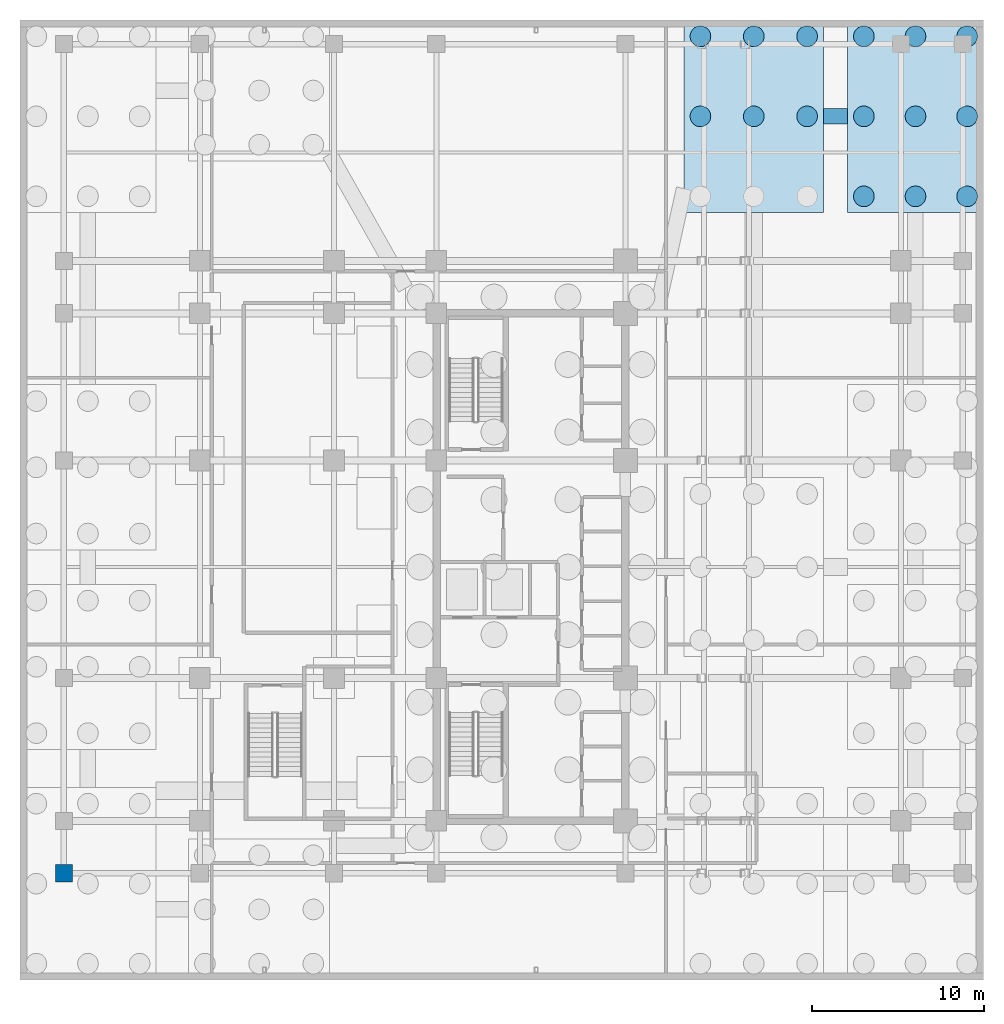
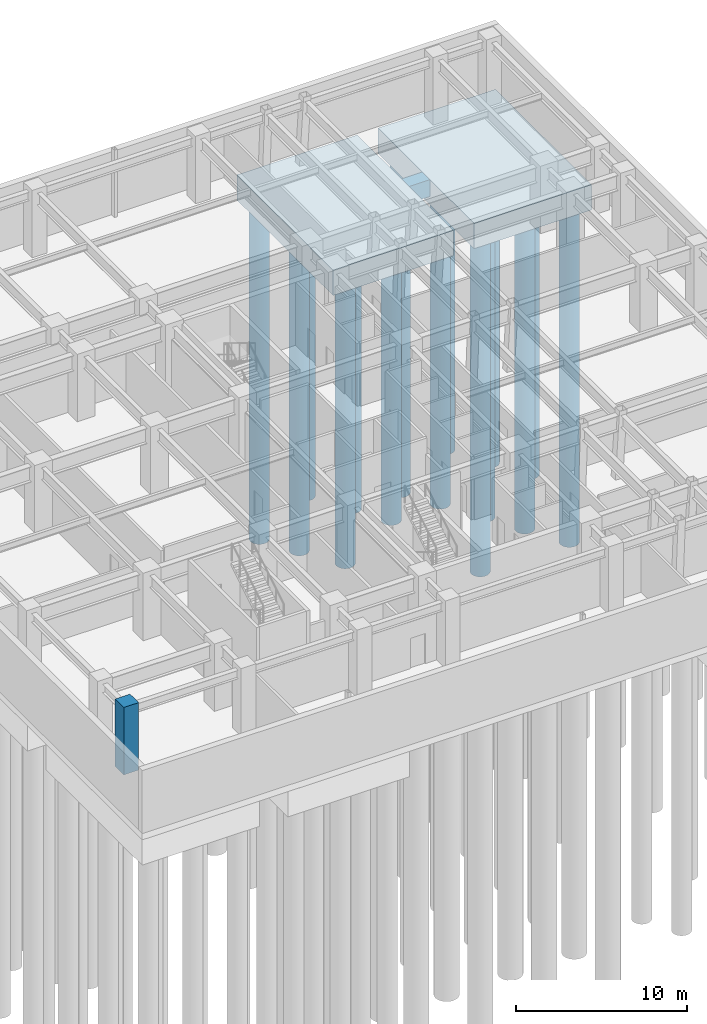
# One storey, part 3 of 13: 15 piles, 3 footings, 1 column.
"""IFC4 building model written with IfcOpenShell, lengths in metres."""

import ifcopenshell
import ifcopenshell.guid

model = None  # the IFC model being written
_history = None  # IfcOwnerHistory: only IFC2X3 demands one
_inside = {}  # id of a spatial element -> (the spatial element, [elements in it])
_under = {}  # id of a project, library or spatial element -> (it, [spatial elements below it])
_declared = {}  # id of a project -> (the project, [libraries it declares])
_typed = {}  # id of a type object -> (the type object, [elements of that type])
_made_of = {}  # id of a material, layer set ... -> (it, [elements and type objects made of it])


def new_model(schema):
    """Start an empty IFC model of exactly this schema.

    Asked for "IFC4X3", IfcOpenShell would pick the latest addendum, in which some entities
    have other attributes; the version numbers below select the first issue.
    IFC2X3 requires an IfcOwnerHistory on every rooted entity: one is made here for all.
    """
    global model, _history
    if schema == "IFC4X3":
        model = ifcopenshell.file(schema_version=(4, 3, 0, 0))
    else:
        model = ifcopenshell.file(schema=schema)
    _inside.clear()
    _under.clear()
    _declared.clear()
    _typed.clear()
    _made_of.clear()
    _history = None
    if model.schema == "IFC2X3":
        org = make("IfcOrganization", Name="unknown")
        user = make(
            "IfcPersonAndOrganization",
            ThePerson=make("IfcPerson", FamilyName="unknown"),
            TheOrganization=org,
        )
        app = make(
            "IfcApplication",
            ApplicationDeveloper=org,
            Version="unknown",
            ApplicationFullName="unknown",
            ApplicationIdentifier="unknown",
        )
        _history = make(
            "IfcOwnerHistory",
            OwningUser=user,
            OwningApplication=app,
            ChangeAction="ADDED",
            CreationDate=0,
        )
    return model


def make(cls, **values):
    """One entity of the class cls with the attributes given. An attribute that is None is left unset."""
    return model.create_entity(
        cls, **{name: value for name, value in values.items() if value is not None}
    )


def rooted(cls, **values):
    """An entity with a GlobalId (a new one), such as an element, a storey or a relation."""
    return make(cls, GlobalId=ifcopenshell.guid.new(), OwnerHistory=_history, **values)


def si_unit(unit_type, name, prefix=None):
    """IfcSIUnit, for example si_unit("LENGTHUNIT", "METRE", prefix="MILLI")."""
    return make("IfcSIUnit", UnitType=unit_type, Prefix=prefix, Name=name)


def assignment(units):
    """IfcUnitAssignment: the units of a project."""
    return None if units is None else make("IfcUnitAssignment", Units=units)


def point(xyz):
    """IfcCartesianPoint."""
    return None if xyz is None else make("IfcCartesianPoint", Coordinates=xyz)


def direction(xyz):
    """IfcDirection."""
    return None if xyz is None else make("IfcDirection", DirectionRatios=xyz)


def frame(location, z_axis=None, x_axis=None):
    """IfcAxis2Placement3D, a coordinate frame: its origin and axes. An axis left out is left unset."""
    return make(
        "IfcAxis2Placement3D",
        Location=point(location),
        Axis=direction(z_axis),
        RefDirection=direction(x_axis),
    )


def frame_2d(location, x_axis=None):
    """IfcAxis2Placement2D, a coordinate frame in the plane: its origin and x axis."""
    return make(
        "IfcAxis2Placement2D", Location=point(location), RefDirection=direction(x_axis)
    )


def origin():
    """The frame at (0, 0, 0) with its axes left unset."""
    return frame((0.0, 0.0, 0.0))


def origin_2d():
    """The frame at (0, 0) in the plane with its x axis left unset."""
    return frame_2d((0.0, 0.0))


def place(relative_to, where):
    """IfcLocalPlacement: puts the frame where relative to a parent placement (None: the world)."""
    return make(
        "IfcLocalPlacement", PlacementRelTo=relative_to, RelativePlacement=where
    )


def context(
    kind, dimensions, precision=None, world=None, true_north=None, identifier=None
):
    """IfcGeometricRepresentationContext, for example the 3D "Model" context."""
    return make(
        "IfcGeometricRepresentationContext",
        ContextIdentifier=identifier,
        ContextType=kind,
        CoordinateSpaceDimension=dimensions,
        Precision=precision,
        WorldCoordinateSystem=world,
        TrueNorth=true_north,
    )


def subcontext(parent, identifier, kind, view, scale=None):
    """IfcGeometricRepresentationSubContext, for example "Body" below "Model"."""
    return make(
        "IfcGeometricRepresentationSubContext",
        ContextIdentifier=identifier,
        ContextType=kind,
        ParentContext=parent,
        TargetScale=scale,
        TargetView=view,
    )


def project(units=None, contexts=None):
    """IfcProject with its units and contexts."""
    return rooted(
        "IfcProject",
        Name="project",
        RepresentationContexts=contexts,
        UnitsInContext=assignment(units),
    )


def spatial(cls, under=None, at=None, **own):
    """A site, building, storey or space (cls), placed at a placement, below another one or the project."""
    s = rooted(cls, ObjectPlacement=at, **own)
    if under is not None:
        _under.setdefault(under.id(), (under, []))[1].append(s)
    return s


def polyline(points):
    """IfcPolyline through the points."""
    return make("IfcPolyline", Points=[point(p) for p in points])


def profile(cls, at=None, kind="AREA", **sizes):
    """A parametric profile (cls). Its sizes go by their IFC names, for example OverallWidth=200.0."""
    return make(cls, ProfileType=kind, Position=at, **sizes)


def rectangle(**sizes):
    """IfcRectangleProfileDef."""
    return profile("IfcRectangleProfileDef", **sizes)


def circle(**sizes):
    """IfcCircleProfileDef."""
    return profile("IfcCircleProfileDef", **sizes)


def outline(outer, holes=None, kind="AREA"):
    """IfcArbitraryClosedProfileDef: a profile drawn as a closed curve; with holes, ...WithVoids."""
    if holes is None:
        return make("IfcArbitraryClosedProfileDef", ProfileType=kind, OuterCurve=outer)
    return make(
        "IfcArbitraryProfileDefWithVoids",
        ProfileType=kind,
        OuterCurve=outer,
        InnerCurves=holes,
    )


def extrude(swept, where, along, depth):
    """IfcExtrudedAreaSolid: the profile swept, set in the frame where, extruded along a direction by depth."""
    return make(
        "IfcExtrudedAreaSolid",
        SweptArea=swept,
        Position=where,
        ExtrudedDirection=direction(along),
        Depth=depth,
    )


def shape(context_of_items, identifier, shape_type, items):
    """IfcShapeRepresentation: the items that make up one representation, for example the "Body"."""
    return make(
        "IfcShapeRepresentation",
        ContextOfItems=context_of_items,
        RepresentationIdentifier=identifier,
        RepresentationType=shape_type,
        Items=items,
    )


def material(Name=None, Category=None):
    """IfcMaterial."""
    return make("IfcMaterial", Name=Name, Category=Category)


def layer(
    of_material, thickness, ventilated=None, Name=None, Category=None, Priority=None
):
    """IfcMaterialLayer: one layer of a wall or slab, of a material (None: an air gap)."""
    return make(
        "IfcMaterialLayer",
        Material=of_material,
        LayerThickness=thickness,
        IsVentilated=ventilated,
        Name=Name,
        Category=Category,
        Priority=Priority,
    )


def layer_set(layers, Name=None):
    """IfcMaterialLayerSet."""
    return make("IfcMaterialLayerSet", MaterialLayers=layers, LayerSetName=Name)


def material_profile(
    of_material, cross_section, Name=None, Category=None, Priority=None
):
    """IfcMaterialProfile: a cross section and its material."""
    return make(
        "IfcMaterialProfile",
        Name=Name,
        Material=of_material,
        Profile=cross_section,
        Priority=Priority,
        Category=Category,
    )


def profile_set(profiles, Name=None, composite=None):
    """IfcMaterialProfileSet."""
    return make(
        "IfcMaterialProfileSet",
        Name=Name,
        MaterialProfiles=profiles,
        CompositeProfile=composite,
    )


def made_of(thing, what):
    """Note that an element or type object is made of a material, layer set ...; save() writes the relation."""
    if what is not None:
        _made_of.setdefault(what.id(), (what, []))[1].append(thing)
    return thing


def type_object(cls, material=None, **own):
    """A type object (cls), such as IfcWallType, which elements share."""
    return made_of(rooted(cls, **own), material)


def element(
    cls,
    number,
    at=None,
    inside=None,
    cuts=None,
    type_object=None,
    material=None,
    context=None,
    identifier="Body",
    shape_type=None,
    held_by="IfcProductDefinitionShape",
    body=None,
    shapes=None,
    **own,
):
    """One element of the class cls, such as IfcWall. Its Tag is "e" and its number.

    at: its placement. inside: the storey or other place that contains it. cuts: it is an
    opening in that element (IfcRelVoidsElement). A single representation is given by context,
    identifier, shape_type and body (its items); several are given by shapes. held_by: the class
    of the entity that holds the representations. save() writes the other relations.
    """
    e = rooted(cls, Tag="e%d" % number, ObjectPlacement=at, **own)
    if body is not None:
        shapes = [shape(context, identifier, shape_type, body)]
    if shapes is not None:
        e.Representation = make(held_by, Representations=shapes)
    if inside is not None:
        _inside.setdefault(inside.id(), (inside, []))[1].append(e)
    if cuts is not None:
        rooted(
            "IfcRelVoidsElement", RelatingBuildingElement=cuts, RelatedOpeningElement=e
        )
    if type_object is not None:
        _typed.setdefault(type_object.id(), (type_object, []))[1].append(e)
    return made_of(e, material)


def aggregate(whole, parts):
    """IfcRelAggregates: a whole, such as a stair, and the parts it consists of."""
    return rooted("IfcRelAggregates", RelatingObject=whole, RelatedObjects=parts)


def save(model, path):
    """Write the relations noted so far, then the file.

    IfcRelAggregates (storeys below a building ...), IfcRelContainedInSpatialStructure (elements
    in a storey), IfcRelDefinesByType, IfcRelAssociatesMaterial and IfcRelDeclares: one each for
    every whole, place, type object, material and project.
    """
    for whole, parts in _under.values():
        aggregate(whole, parts)
    for where, things in _inside.values():
        rooted(
            "IfcRelContainedInSpatialStructure",
            RelatedElements=things,
            RelatingStructure=where,
        )
    for kind, things in _typed.values():
        rooted("IfcRelDefinesByType", RelatedObjects=things, RelatingType=kind)
    for what, things in _made_of.values():
        rooted("IfcRelAssociatesMaterial", RelatedObjects=things, RelatingMaterial=what)
    for by, libraries in _declared.values():
        rooted("IfcRelDeclares", RelatingContext=by, RelatedDefinitions=libraries)
    model.write(path)


model = new_model("IFC4")

# Units and contexts
model_context = context("Model", 3, precision=1e-05, world=origin(), true_north=direction((0.0, 1.0)))
body_context = subcontext(model_context, "Body", "Model", "MODEL_VIEW")
ifc_project = project(units=[si_unit("LENGTHUNIT", "METRE"), si_unit("AREAUNIT", "SQUARE_METRE"), si_unit("VOLUMEUNIT", "CUBIC_METRE"), si_unit("PLANEANGLEUNIT", "RADIAN"), si_unit("MASSUNIT", "GRAM", prefix="KILO")], contexts=[model_context])

# Site, building, storey
site_placement = place(None, origin())
site = spatial("IfcSite", under=ifc_project, at=site_placement, CompositionType="ELEMENT")
building_placement = place(site_placement, origin())
building = spatial("IfcBuilding", under=site, at=building_placement, Name="Ochreholt Gables", CompositionType="ELEMENT")
storey_placement = place(building_placement, frame((0.0, 0.0, -9.60009765625)))
storey = spatial("IfcBuildingStorey", under=building, at=storey_placement, Name="B2", CompositionType="ELEMENT", Elevation=-9.60009765625)

# Footings
ifc_material_1 = material(Name="Concrete 50 MPa", Category="concrete")
ifc_material_profile_1 = material_profile(ifc_material_1, rectangle(XDim=0.89990234375, YDim=1.199951171875, at=origin_2d()), Name="FB900X1200")
ifc_profile_set_1 = profile_set([ifc_material_profile_1], Name="Concrete 50 MPa")
footing_type_1 = type_object("IfcFootingType", Name="FTG-BM-900X1200", PredefinedType="FOOTING_BEAM", material=ifc_profile_set_1)
footing_1_placement = place(storey_placement, frame((46.699951171875, 50.199951171875, -1.0498046875), z_axis=(1.0, 0.0, 0.0), x_axis=(0.0, 1.0, 0.0)))
element("IfcFooting", 1, at=footing_1_placement, inside=storey, type_object=footing_type_1, Name="Foundation Grade Beam FB-N4", PredefinedType="FOOTING_BEAM", context=body_context, shape_type="SweptSolid", body=[
    extrude(rectangle(XDim=0.89990234375, YDim=1.199951171875, at=origin_2d()), origin(), (0.0, 0.0, 1.0), 1.400146484375),
])
ifc_layer_1 = layer(ifc_material_1, 1.800048828125, Name="Concrete 50 MPa")
ifc_layer_set_1 = layer_set([ifc_layer_1], Name="Concrete 50 MPa")
footing_type_2 = type_object("IfcFootingType", Name="FTG-CAP-A", PredefinedType="PILE_CAP", material=ifc_layer_set_1)
footing_2_placement = place(storey_placement, frame((0.0, 0.0, -2.25)))
element("IfcFooting", 2, at=footing_2_placement, inside=storey, type_object=footing_type_2, Name="Perimeter Pile Cap CAP-NE", PredefinedType="PILE_CAP", context=body_context, shape_type="SweptSolid", body=[
    extrude(outline(polyline([(48.10009765625, 44.60009765625), (56.0, 44.60009765625), (56.0, 55.800048828125), (48.10009765625, 55.800048828125), (48.10009765625, 44.60009765625)])), origin(), (0.0, 0.0, 1.0), 1.800048828125),
])
ifc_layer_2 = layer(ifc_material_1, 1.800048828125, Name="Concrete 50 MPa")
ifc_layer_set_2 = layer_set([ifc_layer_2], Name="Concrete 50 MPa")
footing_type_3 = type_object("IfcFootingType", Name="FTG-CAP-B", PredefinedType="PILE_CAP", material=ifc_layer_set_2)
footing_3_placement = place(storey_placement, frame((0.0, 0.0, -2.25)))
element("IfcFooting", 3, at=footing_3_placement, inside=storey, type_object=footing_type_3, Name="Perimeter Pile Cap CAP-MNE", PredefinedType="PILE_CAP", context=body_context, shape_type="SweptSolid", body=[
    extrude(outline(polyline([(38.60009765625, 44.60009765625), (46.699951171875, 44.60009765625), (46.699951171875, 55.800048828125), (38.60009765625, 55.800048828125), (38.60009765625, 44.60009765625)])), origin(), (0.0, 0.0, 1.0), 1.800048828125),
])

# Piles
ifc_material_profile_2 = material_profile(ifc_material_1, circle(Radius=0.60009765625, at=origin_2d()), Name="PILE1200")
ifc_profile_set_2 = profile_set([ifc_material_profile_2], Name="Concrete 50 MPa")
pile_type = type_object("IfcPileType", Name="PILE-1200", PredefinedType="BORED", material=ifc_profile_set_2)
pile_1_placement = place(storey_placement, frame((39.550048828125, 50.199951171875, -2.099853515625), z_axis=(0.0, 0.0, -1.0), x_axis=(1.0, 0.0, 0.0)))
element("IfcPile", 4, at=pile_1_placement, inside=storey, type_object=pile_type, Name="Bored Pile CAP-MNE-12", PredefinedType="BORED", context=body_context, shape_type="SweptSolid", body=[
    extrude(circle(Radius=0.60009765625, at=origin_2d()), origin(), (0.0, 0.0, 1.0), 22.0),
])
for number, where, z_axis, x_axis, name in (
    (5, (39.550048828125, 54.85009765625, -2.099853515625), (0.0, 0.0, -1.0), (1.0, 0.0, 0.0), "Bored Pile CAP-MNE-13"),
    (6, (42.64990234375, 50.199951171875, -2.099853515625), (0.0, 0.0, -1.0), (1.0, 0.0, 0.0), "Bored Pile CAP-MNE-22"),
):
    element("IfcPile", number, at=place(storey_placement, frame(where, z_axis=z_axis, x_axis=x_axis)), inside=storey, type_object=pile_type, Name=name, PredefinedType="BORED", context=body_context, shape_type="SweptSolid", body=[
        extrude(circle(Radius=0.60009765625, at=origin_2d()), origin(), (0.0, 0.0, 1.0), 24.0),
    ])
for number, where, z_axis, x_axis, name in (
    (7, (42.64990234375, 54.85009765625, -2.099853515625), (0.0, 0.0, -1.0), (1.0, 0.0, 0.0), "Bored Pile CAP-MNE-23"),
    (8, (45.75, 50.199951171875, -2.099853515625), (0.0, 0.0, -1.0), (1.0, 0.0, 0.0), "Bored Pile CAP-MNE-32"),
):
    element("IfcPile", number, at=place(storey_placement, frame(where, z_axis=z_axis, x_axis=x_axis)), inside=storey, type_object=pile_type, Name=name, PredefinedType="BORED", context=body_context, shape_type="SweptSolid", body=[
        extrude(circle(Radius=0.60009765625, at=origin_2d()), origin(), (0.0, 0.0, 1.0), 22.0),
    ])
for number, where, z_axis, x_axis, name in (
    (9, (45.75, 54.85009765625, -2.099853515625), (0.0, 0.0, -1.0), (1.0, 0.0, 0.0), "Bored Pile CAP-MNE-33"),
    (10, (49.050048828125, 45.550048828125, -2.099853515625), (0.0, 0.0, -1.0), (1.0, 0.0, 0.0), "Bored Pile CAP-NE-11"),
):
    element("IfcPile", number, at=place(storey_placement, frame(where, z_axis=z_axis, x_axis=x_axis)), inside=storey, type_object=pile_type, Name=name, PredefinedType="BORED", context=body_context, shape_type="SweptSolid", body=[
        extrude(circle(Radius=0.60009765625, at=origin_2d()), origin(), (0.0, 0.0, 1.0), 24.0),
    ])
pile_2_placement = place(storey_placement, frame((49.050048828125, 50.199951171875, -2.099853515625), z_axis=(0.0, 0.0, -1.0), x_axis=(1.0, 0.0, 0.0)))
element("IfcPile", 11, at=pile_2_placement, inside=storey, type_object=pile_type, Name="Bored Pile CAP-NE-12", PredefinedType="BORED", context=body_context, shape_type="SweptSolid", body=[
    extrude(circle(Radius=0.60009765625, at=origin_2d()), origin(), (0.0, 0.0, 1.0), 22.0),
])
pile_3_placement = place(storey_placement, frame((49.050048828125, 54.85009765625, -2.099853515625), z_axis=(0.0, 0.0, -1.0), x_axis=(1.0, 0.0, 0.0)))
element("IfcPile", 12, at=pile_3_placement, inside=storey, type_object=pile_type, Name="Bored Pile CAP-NE-13", PredefinedType="BORED", context=body_context, shape_type="SweptSolid", body=[
    extrude(circle(Radius=0.60009765625, at=origin_2d()), origin(), (0.0, 0.0, 1.0), 24.0),
])
pile_4_placement = place(storey_placement, frame((52.050048828125, 45.550048828125, -2.099853515625), z_axis=(0.0, 0.0, -1.0), x_axis=(1.0, 0.0, 0.0)))
element("IfcPile", 13, at=pile_4_placement, inside=storey, type_object=pile_type, Name="Bored Pile CAP-NE-21", PredefinedType="BORED", context=body_context, shape_type="SweptSolid", body=[
    extrude(circle(Radius=0.60009765625, at=origin_2d()), origin(), (0.0, 0.0, 1.0), 22.0),
])
pile_5_placement = place(storey_placement, frame((52.050048828125, 50.199951171875, -2.099853515625), z_axis=(0.0, 0.0, -1.0), x_axis=(1.0, 0.0, 0.0)))
element("IfcPile", 14, at=pile_5_placement, inside=storey, type_object=pile_type, Name="Bored Pile CAP-NE-22", PredefinedType="BORED", context=body_context, shape_type="SweptSolid", body=[
    extrude(circle(Radius=0.60009765625, at=origin_2d()), origin(), (0.0, 0.0, 1.0), 24.0),
])
pile_6_placement = place(storey_placement, frame((52.050048828125, 54.85009765625, -2.099853515625), z_axis=(0.0, 0.0, -1.0), x_axis=(1.0, 0.0, 0.0)))
element("IfcPile", 15, at=pile_6_placement, inside=storey, type_object=pile_type, Name="Bored Pile CAP-NE-23", PredefinedType="BORED", context=body_context, shape_type="SweptSolid", body=[
    extrude(circle(Radius=0.60009765625, at=origin_2d()), origin(), (0.0, 0.0, 1.0), 22.0),
])
pile_7_placement = place(storey_placement, frame((55.050048828125, 45.550048828125, -2.099853515625), z_axis=(0.0, 0.0, -1.0), x_axis=(1.0, 0.0, 0.0)))
element("IfcPile", 16, at=pile_7_placement, inside=storey, type_object=pile_type, Name="Bored Pile CAP-NE-31", PredefinedType="BORED", context=body_context, shape_type="SweptSolid", body=[
    extrude(circle(Radius=0.60009765625, at=origin_2d()), origin(), (0.0, 0.0, 1.0), 24.0),
])
pile_8_placement = place(storey_placement, frame((55.050048828125, 50.199951171875, -2.099853515625), z_axis=(0.0, 0.0, -1.0), x_axis=(1.0, 0.0, 0.0)))
element("IfcPile", 17, at=pile_8_placement, inside=storey, type_object=pile_type, Name="Bored Pile CAP-NE-32", PredefinedType="BORED", context=body_context, shape_type="SweptSolid", body=[
    extrude(circle(Radius=0.60009765625, at=origin_2d()), origin(), (0.0, 0.0, 1.0), 22.0),
])
pile_9_placement = place(storey_placement, frame((55.050048828125, 54.85009765625, -2.099853515625), z_axis=(0.0, 0.0, -1.0), x_axis=(1.0, 0.0, 0.0)))
element("IfcPile", 18, at=pile_9_placement, inside=storey, type_object=pile_type, Name="Bored Pile CAP-NE-33", PredefinedType="BORED", context=body_context, shape_type="SweptSolid", body=[
    extrude(circle(Radius=0.60009765625, at=origin_2d()), origin(), (0.0, 0.0, 1.0), 24.0),
])

# Column
ifc_material_2 = material(Name="Concrete 60 MPa", Category="concrete")
ifc_material_profile_3 = material_profile(ifc_material_2, rectangle(XDim=1.0, YDim=1.0, at=origin_2d()), Name="RC1000X1000")
ifc_profile_set_3 = profile_set([ifc_material_profile_3], Name="Concrete 60 MPa")
column_type = type_object("IfcColumnType", Name="COL-RC1000-EXT", PredefinedType="COLUMN", material=ifc_profile_set_3)
column_placement = place(storey_placement, frame((2.550048828125, 6.199951171875, 0.0), z_axis=(0.0, 0.0, 1.0), x_axis=(1.0, 0.0, 0.0)))
element("IfcColumn", 19, at=column_placement, inside=storey, type_object=column_type, Name="B2 Column W1Y1", PredefinedType="COLUMN", context=body_context, shape_type="SweptSolid", body=[
    extrude(rectangle(XDim=1.0, YDim=1.0, at=origin_2d()), origin(), (0.0, 0.0, 1.0), 4.800048828125),
])

save(model, "model.ifc")
